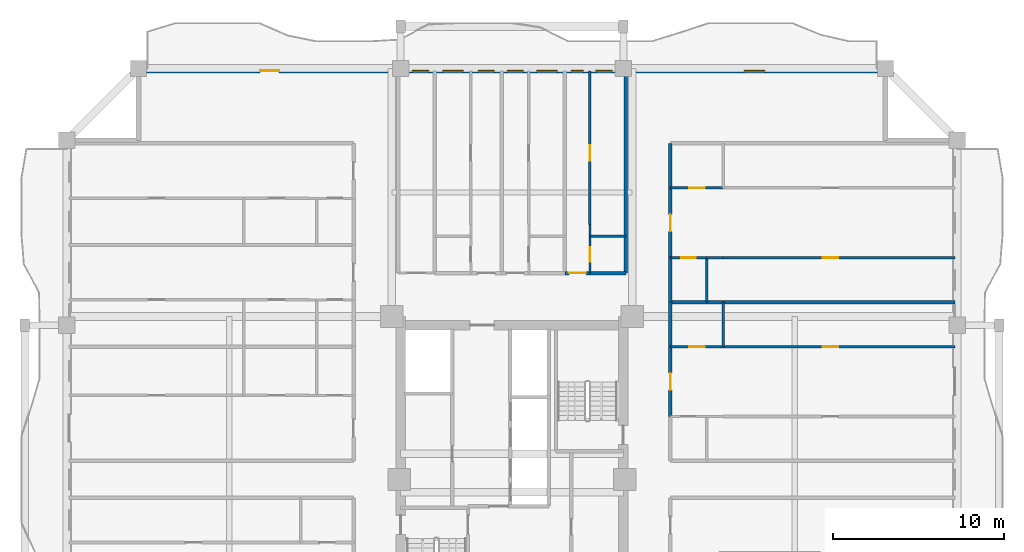
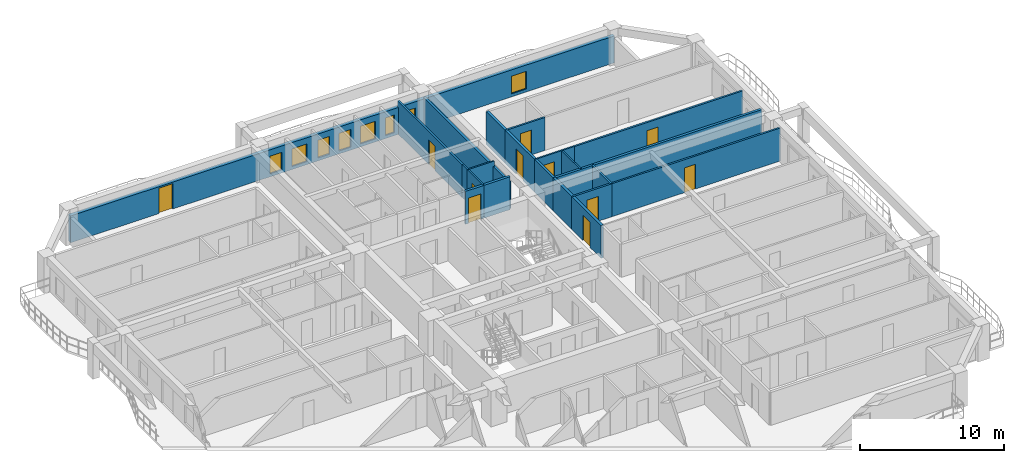
# One storey, part 8 of 14: 22 walls, 11 doors, 8 windows, 19 openings.
"""IFC4 building model written with IfcOpenShell, lengths in metres."""

from ifc_helpers import new_model, si_unit, direction, frame, frame_2d, origin, place, context, subcontext, project, spatial, rectangle, extrude, source, transform, mapped, material, layer, layer_set, type_object, element, fill, save


model = new_model("IFC4")

# Units and contexts
model_context = context("Model", 3, precision=1e-05, world=origin(), true_north=direction((0.0, 1.0)))
body_context = subcontext(model_context, "Body", "Model", "MODEL_VIEW")
ifc_project = project(units=[si_unit("LENGTHUNIT", "METRE"), si_unit("AREAUNIT", "SQUARE_METRE"), si_unit("VOLUMEUNIT", "CUBIC_METRE"), si_unit("PLANEANGLEUNIT", "RADIAN"), si_unit("MASSUNIT", "GRAM", prefix="KILO")], contexts=[model_context])

# Site, building, storey
site_placement = place(None, origin())
site = spatial("IfcSite", under=ifc_project, at=site_placement, CompositionType="ELEMENT")
building_placement = place(site_placement, origin())
building = spatial("IfcBuilding", under=site, at=building_placement, Name="Saelheon Loggia Tower", CompositionType="ELEMENT")
storey_placement = place(building_placement, frame((0.0, 0.0, 113.85009765625)))
storey = spatial("IfcBuildingStorey", under=building, at=storey_placement, Name="L36", CompositionType="ELEMENT", Elevation=113.85009765625)

# Wall, openings, windows, door
ifc_material_1 = material(Name="Architectural Precast Concrete C40/50", Category="concrete")
ifc_layer_1 = layer(ifc_material_1, 0.280029296875)
ifc_layer_set_1 = layer_set([ifc_layer_1], Name="Architectural Precast Concrete C40/50")
wall_type_1 = type_object("IfcWallType", Name="Wall_Ext_Loggia_280", PredefinedType="SOLIDWALL", material=ifc_layer_set_1)
wall_1_placement = place(storey_placement, frame((16.199951171875, 50.860107421875, 0.0), z_axis=(0.0, 0.0, 1.0), x_axis=(1.0, 0.0, 0.0)))
wall_1 = element("IfcWall", 1, at=wall_1_placement, inside=storey, type_object=wall_type_1, Name="L36 North Loggia Inner Wall", PredefinedType="SOLIDWALL", context=body_context, shape_type="SweptSolid", body=[
    extrude(rectangle(XDim=43.60009765625, YDim=0.280029296875, at=frame_2d((21.800048828125, 0.0))), origin(), (0.0, 0.0, 1.0), 2.27978515625),
])
opening_1_placement = place(wall_1_placement, frame((7.10009765625, 0.0, 0.0)))
opening_1 = element("IfcOpeningElement", 2, at=opening_1_placement, cuts=wall_1, Name="Opening TD1", PredefinedType="OPENING", context=body_context, shape_type="SweptSolid", body=[
    extrude(rectangle(XDim=1.10009765625, YDim=2.14990234375, at=frame_2d((0.550048828125, 1.074951171875))), frame((0.0, 0.152099609375, 0.0), z_axis=(0.0, -1.0, 0.0), x_axis=(1.0, 0.0, 0.0)), (0.0, 0.0, 1.0), 0.303955078125),
])
opening_2_placement = place(wall_1_placement, frame((15.982421875, 0.0, 0.25)))
opening_2 = element("IfcOpeningElement", 3, at=opening_2_placement, cuts=wall_1, Name="Opening WN-04", PredefinedType="OPENING", context=body_context, shape_type="SweptSolid", body=[
    extrude(rectangle(XDim=0.949951171875, YDim=1.5, at=frame_2d((0.47509765625, 0.75))), frame((0.0, 0.152099609375, 0.0), z_axis=(0.0, -1.0, 0.0), x_axis=(1.0, 0.0, 0.0)), (0.0, 0.0, 1.0), 0.303955078125),
])
opening_3_placement = place(wall_1_placement, frame((17.75, 0.0, 0.25)))
opening_3 = element("IfcOpeningElement", 4, at=opening_3_placement, cuts=wall_1, Name="Opening WN-03", PredefinedType="OPENING", context=body_context, shape_type="SweptSolid", body=[
    extrude(rectangle(XDim=1.199951171875, YDim=1.5, at=frame_2d((0.60009765625, 0.75))), frame((0.0, 0.152099609375, 0.0), z_axis=(0.0, -1.0, 0.0), x_axis=(1.0, 0.0, 0.0)), (0.0, 0.0, 1.0), 0.303955078125),
])
opening_4_placement = place(wall_1_placement, frame((19.826416015625, 0.0, 0.25)))
opening_4 = element("IfcOpeningElement", 5, at=opening_4_placement, cuts=wall_1, Name="Opening WN-04", PredefinedType="OPENING", context=body_context, shape_type="SweptSolid", body=[
    extrude(rectangle(XDim=0.949951171875, YDim=1.5, at=frame_2d((0.47509765625, 0.75))), frame((0.0, 0.152099609375, 0.0), z_axis=(0.0, -1.0, 0.0), x_axis=(1.0, 0.0, 0.0)), (0.0, 0.0, 1.0), 0.303955078125),
])
opening_5_placement = place(wall_1_placement, frame((21.517333984375, 0.0, 0.25)))
opening_5 = element("IfcOpeningElement", 6, at=opening_5_placement, cuts=wall_1, Name="Opening WN-04", PredefinedType="OPENING", context=body_context, shape_type="SweptSolid", body=[
    extrude(rectangle(XDim=0.949951171875, YDim=1.5, at=frame_2d((0.47509765625, 0.75))), frame((0.0, 0.152099609375, 0.0), z_axis=(0.0, -1.0, 0.0), x_axis=(1.0, 0.0, 0.0)), (0.0, 0.0, 1.0), 0.303955078125),
])
opening_6_placement = place(wall_1_placement, frame((23.23193359375, 0.0, 0.25)))
opening_6 = element("IfcOpeningElement", 7, at=opening_6_placement, cuts=wall_1, Name="Opening WN-03", PredefinedType="OPENING", context=body_context, shape_type="SweptSolid", body=[
    extrude(rectangle(XDim=1.199951171875, YDim=1.5, at=frame_2d((0.60009765625, 0.75))), frame((0.0, 0.152099609375, 0.0), z_axis=(0.0, -1.0, 0.0), x_axis=(1.0, 0.0, 0.0)), (0.0, 0.0, 1.0), 0.303955078125),
])
opening_7_placement = place(wall_1_placement, frame((25.26611328125, 0.0, 0.25)))
opening_7 = element("IfcOpeningElement", 8, at=opening_7_placement, cuts=wall_1, Name="Opening WN-06", PredefinedType="OPENING", context=body_context, shape_type="SweptSolid", body=[
    extrude(rectangle(XDim=0.699951171875, YDim=1.5, at=frame_2d((0.35009765625, 0.75))), frame((0.0, 0.152099609375, 0.0), z_axis=(0.0, -1.0, 0.0), x_axis=(1.0, 0.0, 0.0)), (0.0, 0.0, 1.0), 0.303955078125),
])
opening_8_placement = place(wall_1_placement, frame((26.6923828125, 0.0, 0.25)))
opening_8 = element("IfcOpeningElement", 9, at=opening_8_placement, cuts=wall_1, Name="Opening WN-04", PredefinedType="OPENING", context=body_context, shape_type="SweptSolid", body=[
    extrude(rectangle(XDim=0.949951171875, YDim=1.5, at=frame_2d((0.47509765625, 0.75))), frame((0.0, 0.152099609375, 0.0), z_axis=(0.0, -1.0, 0.0), x_axis=(1.0, 0.0, 0.0)), (0.0, 0.0, 1.0), 0.303955078125),
])
opening_9_placement = place(wall_1_placement, frame((35.35009765625, 0.0, 0.25)))
opening_9 = element("IfcOpeningElement", 10, at=opening_9_placement, cuts=wall_1, Name="Opening WN-03", PredefinedType="OPENING", context=body_context, shape_type="SweptSolid", body=[
    extrude(rectangle(XDim=1.199951171875, YDim=1.5, at=frame_2d((0.60009765625, 0.75))), frame((0.0, 0.152099609375, 0.0), z_axis=(0.0, -1.0, 0.0), x_axis=(1.0, 0.0, 0.0)), (0.0, 0.0, 1.0), 0.303955078125),
])
ifc_material_2 = material(Name="Thermal-Break Aluminium and Triple Low-E Glass", Category="aluminium")
window_type_1 = type_object("IfcWindowType", Name="Win_Slot_700x1500", PartitioningType="SINGLE_PANEL", PredefinedType="WINDOW", material=ifc_material_2)
shared_shape_1 = source(origin(), body_context, "Body", "SweptSolid", [
    extrude(rectangle(XDim=0.699951171875, YDim=1.5, at=frame_2d((0.35009765625, 0.75))), frame((0.0, 0.030029296875, 0.0), z_axis=(0.0, -1.0, 0.0), x_axis=(1.0, 0.0, 0.0)), (0.0, 0.0, 1.0), 0.06005859375),
])
window_1_placement = place(opening_7_placement, origin())
window_1 = element("IfcWindow", 11, at=window_1_placement, inside=storey, type_object=window_type_1, Name="L36 N Dwelling Window 7", OverallHeight=1.5, OverallWidth=0.699951171875, PartitioningType="SINGLE_PANEL", PredefinedType="WINDOW", context=body_context, shape_type="MappedRepresentation", body=[
    mapped(shared_shape_1, transform((0.0, 0.0, 0.0), scale=1.0)),
])
fill(opening_7, window_1)
window_type_2 = type_object("IfcWindowType", Name="Win_Bedroom_1200x1500", PartitioningType="SINGLE_PANEL", PredefinedType="WINDOW", material=ifc_material_2)
shared_shape_2 = source(origin(), body_context, "Body", "SweptSolid", [
    extrude(rectangle(XDim=1.199951171875, YDim=1.5, at=frame_2d((0.60009765625, 0.75))), frame((0.0, 0.030029296875, 0.0), z_axis=(0.0, -1.0, 0.0), x_axis=(1.0, 0.0, 0.0)), (0.0, 0.0, 1.0), 0.06005859375),
])
window_2_placement = place(opening_3_placement, origin())
window_2 = element("IfcWindow", 12, at=window_2_placement, inside=storey, type_object=window_type_2, Name="L36 N Dwelling Window 3", OverallHeight=1.5, OverallWidth=1.199951171875, PartitioningType="SINGLE_PANEL", PredefinedType="WINDOW", context=body_context, shape_type="MappedRepresentation", body=[
    mapped(shared_shape_2, transform((0.0, 0.0, 0.0), scale=1.0)),
])
fill(opening_3, window_2)
window_3_placement = place(opening_6_placement, origin())
window_3 = element("IfcWindow", 13, at=window_3_placement, inside=storey, type_object=window_type_2, Name="L36 N Dwelling Window 6", OverallHeight=1.5, OverallWidth=1.199951171875, PartitioningType="SINGLE_PANEL", PredefinedType="WINDOW", context=body_context, shape_type="MappedRepresentation", body=[
    mapped(shared_shape_2, transform((0.0, 0.0, 0.0), scale=1.0)),
])
fill(opening_6, window_3)
window_4_placement = place(opening_9_placement, origin())
window_4 = element("IfcWindow", 14, at=window_4_placement, inside=storey, type_object=window_type_2, Name="L36 N Dwelling Window 9", OverallHeight=1.5, OverallWidth=1.199951171875, PartitioningType="SINGLE_PANEL", PredefinedType="WINDOW", context=body_context, shape_type="MappedRepresentation", body=[
    mapped(shared_shape_2, transform((0.0, 0.0, 0.0), scale=1.0)),
])
fill(opening_9, window_4)
ifc_material_3 = material(Name="Thermal-Break Aluminium Glazed Door", Category="aluminium")
door_type_1 = type_object("IfcDoorType", Name="Door_Terrace_TD1", OperationType="NOTDEFINED", PredefinedType="DOOR", material=ifc_material_3)
shared_shape_3 = source(origin(), body_context, "Body", "SweptSolid", [
    extrude(rectangle(XDim=1.10009765625, YDim=2.14990234375, at=frame_2d((0.550048828125, 1.074951171875))), frame((0.0, 0.02490234375, 0.0), z_axis=(0.0, -1.0, 0.0), x_axis=(1.0, 0.0, 0.0)), (0.0, 0.0, 1.0), 0.050048828125),
])
door_1_placement = place(opening_1_placement, origin())
door_1 = element("IfcDoor", 15, at=door_1_placement, inside=storey, type_object=door_type_1, Name="L36 N Loggia Access Door", OperationType="SINGLE_SWING_LEFT", OverallHeight=2.14990234375, OverallWidth=1.10009765625, PredefinedType="DOOR", context=body_context, shape_type="MappedRepresentation", body=[
    mapped(shared_shape_3, transform((0.0, 0.0, 0.0), scale=1.0)),
])
fill(opening_1, door_1)
window_type_3 = type_object("IfcWindowType", Name="Win_Narrow_950x1500", PartitioningType="SINGLE_PANEL", PredefinedType="WINDOW", material=ifc_material_2)
shared_shape_4 = source(origin(), body_context, "Body", "SweptSolid", [
    extrude(rectangle(XDim=0.949951171875, YDim=1.5, at=frame_2d((0.47509765625, 0.75))), frame((0.0, 0.030029296875, 0.0), z_axis=(0.0, -1.0, 0.0), x_axis=(1.0, 0.0, 0.0)), (0.0, 0.0, 1.0), 0.06005859375),
])
window_5_placement = place(opening_2_placement, origin())
window_5 = element("IfcWindow", 16, at=window_5_placement, inside=storey, type_object=window_type_3, Name="L36 N Dwelling Window 2", OverallHeight=1.5, OverallWidth=0.949951171875, PartitioningType="SINGLE_PANEL", PredefinedType="WINDOW", context=body_context, shape_type="MappedRepresentation", body=[
    mapped(shared_shape_4, transform((0.0, 0.0, 0.0), scale=1.0)),
])
fill(opening_2, window_5)
window_6_placement = place(opening_4_placement, origin())
window_6 = element("IfcWindow", 17, at=window_6_placement, inside=storey, type_object=window_type_3, Name="L36 N Dwelling Window 4", OverallHeight=1.5, OverallWidth=0.949951171875, PartitioningType="SINGLE_PANEL", PredefinedType="WINDOW", context=body_context, shape_type="MappedRepresentation", body=[
    mapped(shared_shape_4, transform((0.0, 0.0, 0.0), scale=1.0)),
])
fill(opening_4, window_6)
window_7_placement = place(opening_5_placement, origin())
window_7 = element("IfcWindow", 18, at=window_7_placement, inside=storey, type_object=window_type_3, Name="L36 N Dwelling Window 5", OverallHeight=1.5, OverallWidth=0.949951171875, PartitioningType="SINGLE_PANEL", PredefinedType="WINDOW", context=body_context, shape_type="MappedRepresentation", body=[
    mapped(shared_shape_4, transform((0.0, 0.0, 0.0), scale=1.0)),
])
fill(opening_5, window_7)
window_8_placement = place(opening_8_placement, origin())
window_8 = element("IfcWindow", 19, at=window_8_placement, inside=storey, type_object=window_type_3, Name="L36 N Dwelling Window 8", OverallHeight=1.5, OverallWidth=0.949951171875, PartitioningType="SINGLE_PANEL", PredefinedType="WINDOW", context=body_context, shape_type="MappedRepresentation", body=[
    mapped(shared_shape_4, transform((0.0, 0.0, 0.0), scale=1.0)),
])
fill(opening_8, window_8)

# Wall, opening, door
ifc_material_4 = material(Name="Lightweight Autoclaved Aerated Concrete Block and Acoustic Gypsum", Category="concrete")
ifc_layer_2 = layer(ifc_material_4, 0.14990234375)
ifc_layer_set_2 = layer_set([ifc_layer_2], Name="Lightweight Autoclaved Aerated Concrete Block and Acoustic Gypsum")
wall_type_2 = type_object("IfcWallType", Name="Wall_Part_150", PredefinedType="PARTITIONING", material=ifc_layer_set_2)
wall_2_placement = place(storey_placement, frame((42.550048828125, 41.889892578125, 0.0), z_axis=(0.0, 0.0, 1.0), x_axis=(0.0, 1.0, 0.0)))
wall_2 = element("IfcWall", 20, at=wall_2_placement, inside=storey, type_object=wall_type_2, Name="L36 N Partition U24", PredefinedType="PARTITIONING", context=body_context, shape_type="SweptSolid", body=[
    extrude(rectangle(XDim=8.960205078125, YDim=0.14990234375, at=frame_2d((4.47998046875, 0.0))), origin(), (0.0, 0.0, 1.0), 2.789794921875),
])
opening_10_placement = place(wall_2_placement, frame((3.714111328125, 0.0, 0.0)))
opening_10 = element("IfcOpeningElement", 21, at=opening_10_placement, cuts=wall_2, Name="Opening D-IN2", PredefinedType="OPENING", context=body_context, shape_type="SweptSolid", body=[
    extrude(rectangle(XDim=0.89990234375, YDim=2.10009765625, at=frame_2d((0.449951171875, 1.050048828125))), frame((0.0, 0.0869140625, 0.0), z_axis=(0.0, -1.0, 0.0), x_axis=(1.0, 0.0, 0.0)), (0.0, 0.0, 1.0), 0.173828125),
])
ifc_material_5 = material(Name="Engineered Oak Flush Door", Category="timber")
door_type_2 = type_object("IfcDoorType", Name="Door_Int_900", OperationType="NOTDEFINED", PredefinedType="DOOR", material=ifc_material_5)
shared_shape_5 = source(origin(), body_context, "Body", "SweptSolid", [
    extrude(rectangle(XDim=0.89990234375, YDim=2.10009765625, at=frame_2d((0.449951171875, 1.050048828125))), frame((0.0, 0.02490234375, 0.0), z_axis=(0.0, -1.0, 0.0), x_axis=(1.0, 0.0, 0.0)), (0.0, 0.0, 1.0), 0.050048828125),
])
door_2_placement = place(opening_10_placement, origin())
door_2 = element("IfcDoor", 22, at=door_2_placement, inside=storey, type_object=door_type_2, Name="Unit U04 Kitchen Door", OperationType="SINGLE_SWING_RIGHT", OverallHeight=2.10009765625, OverallWidth=0.89990234375, PredefinedType="DOOR", context=body_context, shape_type="MappedRepresentation", body=[
    mapped(shared_shape_5, transform((0.0, 0.0, 0.0), scale=1.0)),
])
fill(opening_10, door_2)

# Wall
wall_3_placement = place(storey_placement, frame((50.330078125, 34.75, 0.0), z_axis=(0.0, 0.0, 1.0), x_axis=(0.0, 1.0, 0.0)))
element("IfcWall", 23, at=wall_3_placement, inside=storey, type_object=wall_type_2, Name="L36 EN Partition V07", PredefinedType="PARTITIONING", context=body_context, shape_type="SweptSolid", body=[
    extrude(rectangle(XDim=2.60009765625, YDim=0.14990234375, at=frame_2d((1.300048828125, 0.0))), origin(), (0.0, 0.0, 1.0), 2.789794921875),
])

# Wall, opening, door
wall_4_placement = place(storey_placement, frame((47.25, 34.75, 0.0), z_axis=(0.0, 0.0, 1.0), x_axis=(1.0, 0.0, 0.0)))
wall_4 = element("IfcWall", 24, at=wall_4_placement, inside=storey, type_object=wall_type_2, Name="L36 EN Partition U11", PredefinedType="PARTITIONING", context=body_context, shape_type="SweptSolid", body=[
    extrude(rectangle(XDim=3.080078125, YDim=0.14990234375, at=frame_2d((1.5400390625, 0.0))), origin(), (0.0, 0.0, 1.0), 2.789794921875),
])
opening_11_placement = place(wall_4_placement, frame((1.090087890625, 0.0, 0.0)))
opening_11 = element("IfcOpeningElement", 25, at=opening_11_placement, cuts=wall_4, Name="Opening D-IN2", PredefinedType="OPENING", context=body_context, shape_type="SweptSolid", body=[
    extrude(rectangle(XDim=0.89990234375, YDim=2.10009765625, at=frame_2d((0.449951171875, 1.050048828125))), frame((0.0, 0.0869140625, 0.0), z_axis=(0.0, -1.0, 0.0), x_axis=(1.0, 0.0, 0.0)), (0.0, 0.0, 1.0), 0.173828125),
])
door_3_placement = place(opening_11_placement, origin())
door_3 = element("IfcDoor", 26, at=door_3_placement, inside=storey, type_object=door_type_2, Name="Unit U13 Dressing Closet Door", OperationType="SINGLE_SWING_LEFT", OverallHeight=2.10009765625, OverallWidth=0.89990234375, PredefinedType="DOOR", context=body_context, shape_type="MappedRepresentation", body=[
    mapped(shared_shape_5, transform((0.0, 0.0, 0.0), scale=1.0)),
])
fill(opening_11, door_3)

wall_5_placement = place(storey_placement, frame((50.330078125, 34.75, 0.0), z_axis=(0.0, 0.0, 1.0), x_axis=(1.0, 0.0, 0.0)))
wall_5 = element("IfcWall", 27, at=wall_5_placement, inside=storey, type_object=wall_type_2, Name="L36 EN Partition U12", PredefinedType="PARTITIONING", context=body_context, shape_type="SweptSolid", body=[
    extrude(rectangle(XDim=13.52001953125, YDim=0.14990234375, at=frame_2d((6.760009765625, 0.0))), origin(), (0.0, 0.0, 1.0), 2.789794921875),
])
opening_12_placement = place(wall_5_placement, frame((5.80419921875, 0.0, 0.0)))
opening_12 = element("IfcOpeningElement", 28, at=opening_12_placement, cuts=wall_5, Name="Opening D-IN2", PredefinedType="OPENING", context=body_context, shape_type="SweptSolid", body=[
    extrude(rectangle(XDim=0.89990234375, YDim=2.10009765625, at=frame_2d((0.449951171875, 1.050048828125))), frame((0.0, 0.0869140625, 0.0), z_axis=(0.0, -1.0, 0.0), x_axis=(1.0, 0.0, 0.0)), (0.0, 0.0, 1.0), 0.173828125),
])
door_4_placement = place(opening_12_placement, origin())
door_4 = element("IfcDoor", 29, at=door_4_placement, inside=storey, type_object=door_type_2, Name="Unit U13 Bedroom 1 Door", OperationType="SINGLE_SWING_RIGHT", OverallHeight=2.10009765625, OverallWidth=0.89990234375, PredefinedType="DOOR", context=body_context, shape_type="MappedRepresentation", body=[
    mapped(shared_shape_5, transform((0.0, 0.0, 0.0), scale=1.0)),
])
fill(opening_12, door_4)

wall_6_placement = place(storey_placement, frame((50.330078125, 39.945556640625, 0.0), z_axis=(0.0, 0.0, 1.0), x_axis=(1.0, 0.0, 0.0)))
wall_6 = element("IfcWall", 30, at=wall_6_placement, inside=storey, type_object=wall_type_2, Name="L36 EN Partition U21", PredefinedType="PARTITIONING", context=body_context, shape_type="SweptSolid", body=[
    extrude(rectangle(XDim=13.52001953125, YDim=0.14990234375, at=frame_2d((6.760009765625, 0.0))), origin(), (0.0, 0.0, 1.0), 2.789794921875),
])
opening_13_placement = place(wall_6_placement, frame((5.80419921875, 0.0, 0.0)))
opening_13 = element("IfcOpeningElement", 31, at=opening_13_placement, cuts=wall_6, Name="Opening D-IN2", PredefinedType="OPENING", context=body_context, shape_type="SweptSolid", body=[
    extrude(rectangle(XDim=0.89990234375, YDim=2.10009765625, at=frame_2d((0.449951171875, 1.050048828125))), frame((0.0, 0.0869140625, 0.0), z_axis=(0.0, -1.0, 0.0), x_axis=(1.0, 0.0, 0.0)), (0.0, 0.0, 1.0), 0.173828125),
])
door_5_placement = place(opening_13_placement, origin())
door_5 = element("IfcDoor", 32, at=door_5_placement, inside=storey, type_object=door_type_2, Name="Unit U14 Kitchen Door", OperationType="SINGLE_SWING_LEFT", OverallHeight=2.10009765625, OverallWidth=0.89990234375, PredefinedType="DOOR", context=body_context, shape_type="MappedRepresentation", body=[
    mapped(shared_shape_5, transform((0.0, 0.0, 0.0), scale=1.0)),
])
fill(opening_13, door_5)

wall_7_placement = place(storey_placement, frame((47.25, 44.02001953125, 0.0), z_axis=(0.0, 0.0, 1.0), x_axis=(1.0, 0.0, 0.0)))
wall_7 = element("IfcWall", 33, at=wall_7_placement, inside=storey, type_object=wall_type_2, Name="L36 EN Partition U22", PredefinedType="PARTITIONING", context=body_context, shape_type="SweptSolid", body=[
    extrude(rectangle(XDim=3.080078125, YDim=0.14990234375, at=frame_2d((1.5400390625, 0.0))), origin(), (0.0, 0.0, 1.0), 2.789794921875),
])
opening_14_placement = place(wall_7_placement, frame((1.090087890625, 0.0, 0.0)))
opening_14 = element("IfcOpeningElement", 34, at=opening_14_placement, cuts=wall_7, Name="Opening D-IN2", PredefinedType="OPENING", context=body_context, shape_type="SweptSolid", body=[
    extrude(rectangle(XDim=0.89990234375, YDim=2.10009765625, at=frame_2d((0.449951171875, 1.050048828125))), frame((0.0, 0.0869140625, 0.0), z_axis=(0.0, -1.0, 0.0), x_axis=(1.0, 0.0, 0.0)), (0.0, 0.0, 1.0), 0.173828125),
])
door_6_placement = place(opening_14_placement, origin())
door_6 = element("IfcDoor", 35, at=door_6_placement, inside=storey, type_object=door_type_2, Name="Unit U14 Dressing Closet Door", OperationType="SINGLE_SWING_RIGHT", OverallHeight=2.10009765625, OverallWidth=0.89990234375, PredefinedType="DOOR", context=body_context, shape_type="MappedRepresentation", body=[
    mapped(shared_shape_5, transform((0.0, 0.0, 0.0), scale=1.0)),
])
fill(opening_14, door_6)

# Wall
ifc_material_6 = material(Name="Double Acoustic Stud and Fireboard Partition", Category="gypsum")
ifc_layer_3 = layer(ifc_material_6, 0.199951171875)
ifc_layer_set_3 = layer_set([ifc_layer_3], Name="Double Acoustic Stud and Fireboard Partition")
wall_type_3 = type_object("IfcWallType", Name="Wall_Party_200", PredefinedType="PARTITIONING", material=ifc_layer_set_3)
wall_8_placement = place(storey_placement, frame((44.64990234375, 39.050048828125, 0.0), z_axis=(0.0, 0.0, 1.0), x_axis=(0.0, 1.0, 0.0)))
element("IfcWall", 36, at=wall_8_placement, inside=storey, type_object=wall_type_3, Name="L36 N Partition U02", PredefinedType="PARTITIONING", context=body_context, shape_type="SweptSolid", body=[
    extrude(rectangle(XDim=11.800048828125, YDim=0.199951171875, at=frame_2d((5.89990234375, 0.0))), origin(), (0.0, 0.0, 1.0), 2.33984375),
])

# Wall, opening, door
wall_9_placement = place(storey_placement, frame((41.08203125, 39.050048828125, 0.0), z_axis=(0.0, 0.0, 1.0), x_axis=(1.0, 0.0, 0.0)))
wall_9 = element("IfcWall", 37, at=wall_9_placement, inside=storey, type_object=wall_type_3, Name="L36 N Partition V19", PredefinedType="PARTITIONING", context=body_context, shape_type="SweptSolid", body=[
    extrude(rectangle(XDim=1.468017578125, YDim=0.199951171875, at=frame_2d((0.73388671875, 0.0))), origin(), (0.0, 0.0, 1.0), 2.789794921875),
])
opening_15_placement = place(wall_9_placement, frame((0.23388671875, 0.0, 0.0)))
opening_15 = element("IfcOpeningElement", 38, at=opening_15_placement, cuts=wall_9, Name="Opening D-FD1", PredefinedType="OPENING", context=body_context, shape_type="SweptSolid", body=[
    extrude(rectangle(XDim=1.0, YDim=2.14990234375, at=frame_2d((0.5, 1.074951171875))), frame((0.0, 0.112060546875, 0.0), z_axis=(0.0, -1.0, 0.0), x_axis=(1.0, 0.0, 0.0)), (0.0, 0.0, 1.0), 0.223876953125),
])
ifc_material_7 = material(Name="Fire-Rated Engineered Timber Entrance Door", Category="wood")
door_type_3 = type_object("IfcDoorType", Name="Door_Flat_FD30S", OperationType="NOTDEFINED", PredefinedType="DOOR", material=ifc_material_7)
shared_shape_6 = source(origin(), body_context, "Body", "SweptSolid", [
    extrude(rectangle(XDim=1.0, YDim=2.14990234375, at=frame_2d((0.5, 1.074951171875))), frame((0.0, 0.02490234375, 0.0), z_axis=(0.0, -1.0, 0.0), x_axis=(1.0, 0.0, 0.0)), (0.0, 0.0, 1.0), 0.050048828125),
])
door_7_placement = place(opening_15_placement, origin())
door_7 = element("IfcDoor", 39, at=door_7_placement, inside=storey, type_object=door_type_3, Name="Unit U04 Entrance Door", OperationType="SINGLE_SWING_RIGHT", OverallHeight=2.14990234375, OverallWidth=1.0, PredefinedType="DOOR", context=body_context, shape_type="MappedRepresentation", body=[
    mapped(shared_shape_6, transform((0.0, 0.0, 0.0), scale=1.0)),
])
fill(opening_15, door_7)

# Wall
wall_10_placement = place(storey_placement, frame((42.550048828125, 39.050048828125, 0.0), z_axis=(0.0, 0.0, 1.0), x_axis=(1.0, 0.0, 0.0)))
element("IfcWall", 40, at=wall_10_placement, inside=storey, type_object=wall_type_3, Name="L36 N Partition V20", PredefinedType="PARTITIONING", context=body_context, shape_type="SweptSolid", body=[
    extrude(rectangle(XDim=2.099853515625, YDim=0.199951171875, at=frame_2d((1.0498046875, 0.0))), origin(), (0.0, 0.0, 1.0), 2.789794921875),
])

# Wall, opening, door
wall_11_placement = place(storey_placement, frame((47.25, 30.675537109375, 0.0), z_axis=(0.0, 0.0, 1.0), x_axis=(0.0, 1.0, 0.0)))
wall_11 = element("IfcWall", 41, at=wall_11_placement, inside=storey, type_object=wall_type_3, Name="L36 EN Partition V04", PredefinedType="PARTITIONING", context=body_context, shape_type="SweptSolid", body=[
    extrude(rectangle(XDim=4.074462890625, YDim=0.199951171875, at=frame_2d((2.037109375, 0.0))), origin(), (0.0, 0.0, 1.0), 2.789794921875),
])
opening_16_placement = place(wall_11_placement, frame((1.537109375, 0.0, 0.0)))
opening_16 = element("IfcOpeningElement", 42, at=opening_16_placement, cuts=wall_11, Name="Opening D-FD1", PredefinedType="OPENING", context=body_context, shape_type="SweptSolid", body=[
    extrude(rectangle(XDim=1.0, YDim=2.14990234375, at=frame_2d((0.5, 1.074951171875))), frame((0.0, 0.112060546875, 0.0), z_axis=(0.0, -1.0, 0.0), x_axis=(1.0, 0.0, 0.0)), (0.0, 0.0, 1.0), 0.223876953125),
])
door_8_placement = place(opening_16_placement, origin())
door_8 = element("IfcDoor", 43, at=door_8_placement, inside=storey, type_object=door_type_3, Name="Unit U13 Entrance Door", OperationType="SINGLE_SWING_RIGHT", OverallHeight=2.14990234375, OverallWidth=1.0, PredefinedType="DOOR", context=body_context, shape_type="MappedRepresentation", body=[
    mapped(shared_shape_6, transform((0.0, 0.0, 0.0), scale=1.0)),
])
fill(opening_16, door_8)

# Walls
wall_12_placement = place(storey_placement, frame((47.25, 34.75, 0.0), z_axis=(0.0, 0.0, 1.0), x_axis=(0.0, 1.0, 0.0)))
element("IfcWall", 44, at=wall_12_placement, inside=storey, type_object=wall_type_3, Name="L36 EN Partition V05", PredefinedType="PARTITIONING", context=body_context, shape_type="SweptSolid", body=[
    extrude(rectangle(XDim=2.60009765625, YDim=0.199951171875, at=frame_2d((1.300048828125, 0.0))), origin(), (0.0, 0.0, 1.0), 2.789794921875),
])
wall_13_placement = place(storey_placement, frame((47.25, 37.35009765625, 0.0), z_axis=(0.0, 0.0, 1.0), x_axis=(1.0, 0.0, 0.0)))
element("IfcWall", 45, at=wall_13_placement, inside=storey, type_object=wall_type_3, Name="L36 EN Partition U13", PredefinedType="PARTITIONING", context=body_context, shape_type="SweptSolid", body=[
    extrude(rectangle(XDim=16.60009765625, YDim=0.199951171875, at=frame_2d((8.300048828125, 0.0))), origin(), (0.0, 0.0, 1.0), 2.789794921875),
])
wall_14_placement = place(storey_placement, frame((47.25, 37.35009765625, 0.0), z_axis=(0.0, 0.0, 1.0), x_axis=(0.0, 1.0, 0.0)))
element("IfcWall", 46, at=wall_14_placement, inside=storey, type_object=wall_type_3, Name="L36 EN Partition V14", PredefinedType="PARTITIONING", context=body_context, shape_type="SweptSolid", body=[
    extrude(rectangle(XDim=2.595458984375, YDim=0.199951171875, at=frame_2d((1.2978515625, 0.0))), origin(), (0.0, 0.0, 1.0), 2.789794921875),
])

# Wall, opening, door
wall_15_placement = place(storey_placement, frame((47.25, 39.945556640625, 0.0), z_axis=(0.0, 0.0, 1.0), x_axis=(0.0, 1.0, 0.0)))
wall_15 = element("IfcWall", 47, at=wall_15_placement, inside=storey, type_object=wall_type_3, Name="L36 EN Partition V15", PredefinedType="PARTITIONING", context=body_context, shape_type="SweptSolid", body=[
    extrude(rectangle(XDim=4.074462890625, YDim=0.199951171875, at=frame_2d((2.037109375, 0.0))), origin(), (0.0, 0.0, 1.0), 2.789794921875),
])
opening_17_placement = place(wall_15_placement, frame((1.537109375, 0.0, 0.0)))
opening_17 = element("IfcOpeningElement", 48, at=opening_17_placement, cuts=wall_15, Name="Opening D-FD1", PredefinedType="OPENING", context=body_context, shape_type="SweptSolid", body=[
    extrude(rectangle(XDim=1.0, YDim=2.14990234375, at=frame_2d((0.5, 1.074951171875))), frame((0.0, 0.112060546875, 0.0), z_axis=(0.0, -1.0, 0.0), x_axis=(1.0, 0.0, 0.0)), (0.0, 0.0, 1.0), 0.223876953125),
])
door_9_placement = place(opening_17_placement, origin())
door_9 = element("IfcDoor", 49, at=door_9_placement, inside=storey, type_object=door_type_3, Name="Unit U14 Entrance Door", OperationType="SINGLE_SWING_LEFT", OverallHeight=2.14990234375, OverallWidth=1.0, PredefinedType="DOOR", context=body_context, shape_type="MappedRepresentation", body=[
    mapped(shared_shape_6, transform((0.0, 0.0, 0.0), scale=1.0)),
])
fill(opening_17, door_9)

# Wall
wall_16_placement = place(storey_placement, frame((47.25, 44.02001953125, 0.0), z_axis=(0.0, 0.0, 1.0), x_axis=(0.0, 1.0, 0.0)))
element("IfcWall", 50, at=wall_16_placement, inside=storey, type_object=wall_type_3, Name="L36 EN Partition V16", PredefinedType="PARTITIONING", context=body_context, shape_type="SweptSolid", body=[
    extrude(rectangle(XDim=2.60009765625, YDim=0.199951171875, at=frame_2d((1.300048828125, 0.0))), origin(), (0.0, 0.0, 1.0), 2.789794921875),
])

# Wall, opening, door
ifc_material_8 = material(Name="Moisture-Resistant Cement Board Partition", Category="gypsum")
ifc_layer_4 = layer(ifc_material_8, 0.1201171875)
ifc_layer_set_4 = layer_set([ifc_layer_4], Name="Moisture-Resistant Cement Board Partition")
wall_type_4 = type_object("IfcWallType", Name="Wall_WetPart_120", PredefinedType="PARTITIONING", material=ifc_layer_set_4)
wall_17_placement = place(storey_placement, frame((42.550048828125, 39.050048828125, 0.0), z_axis=(0.0, 0.0, 1.0), x_axis=(0.0, 1.0, 0.0)))
wall_17 = element("IfcWall", 51, at=wall_17_placement, inside=storey, type_object=wall_type_4, Name="L36 N Partition U21", PredefinedType="PARTITIONING", context=body_context, shape_type="SweptSolid", body=[
    extrude(rectangle(XDim=2.14990234375, YDim=0.1201171875, at=frame_2d((1.074951171875, 0.0))), origin(), (0.0, 0.0, 1.0), 2.789794921875),
])
opening_18_placement = place(wall_17_placement, frame((0.64990234375, 0.0, 0.0)))
opening_18 = element("IfcOpeningElement", 52, at=opening_18_placement, cuts=wall_17, Name="Opening D-BT1", PredefinedType="OPENING", context=body_context, shape_type="SweptSolid", body=[
    extrude(rectangle(XDim=0.85009765625, YDim=2.050048828125, at=frame_2d((0.425048828125, 1.02490234375))), frame((0.0, 0.072021484375, 0.0), z_axis=(0.0, -1.0, 0.0), x_axis=(1.0, 0.0, 0.0)), (0.0, 0.0, 1.0), 0.14404296875),
])
ifc_material_9 = material(Name="Moisture-Resistant Laminate Timber Door", Category="wood")
door_type_4 = type_object("IfcDoorType", Name="Door_Bath_850", OperationType="NOTDEFINED", PredefinedType="DOOR", material=ifc_material_9)
shared_shape_7 = source(origin(), body_context, "Body", "SweptSolid", [
    extrude(rectangle(XDim=0.85009765625, YDim=2.050048828125, at=frame_2d((0.425048828125, 1.02490234375))), frame((0.0, 0.02490234375, 0.0), z_axis=(0.0, -1.0, 0.0), x_axis=(1.0, 0.0, 0.0)), (0.0, 0.0, 1.0), 0.050048828125),
])
door_10_placement = place(opening_18_placement, origin())
door_10 = element("IfcDoor", 53, at=door_10_placement, inside=storey, type_object=door_type_4, Name="Unit U04 Bathroom Door", OperationType="SINGLE_SWING_LEFT", OverallHeight=2.050048828125, OverallWidth=0.85009765625, PredefinedType="DOOR", context=body_context, shape_type="MappedRepresentation", body=[
    mapped(shared_shape_7, transform((0.0, 0.0, 0.0), scale=1.0)),
])
fill(opening_18, door_10)

# Walls
wall_18_placement = place(storey_placement, frame((42.550048828125, 41.199951171875, 0.0), z_axis=(0.0, 0.0, 1.0), x_axis=(0.0, 1.0, 0.0)))
element("IfcWall", 54, at=wall_18_placement, inside=storey, type_object=wall_type_4, Name="L36 N Partition U22", PredefinedType="PARTITIONING", context=body_context, shape_type="SweptSolid", body=[
    extrude(rectangle(XDim=0.68994140625, YDim=0.1201171875, at=frame_2d((0.344970703125, 0.0))), origin(), (0.0, 0.0, 1.0), 2.789794921875),
])
wall_19_placement = place(storey_placement, frame((42.550048828125, 41.199951171875, 0.0), z_axis=(0.0, 0.0, 1.0), x_axis=(1.0, 0.0, 0.0)))
element("IfcWall", 55, at=wall_19_placement, inside=storey, type_object=wall_type_4, Name="L36 N Partition V23", PredefinedType="PARTITIONING", context=body_context, shape_type="SweptSolid", body=[
    extrude(rectangle(XDim=2.099853515625, YDim=0.1201171875, at=frame_2d((1.0498046875, 0.0))), origin(), (0.0, 0.0, 1.0), 2.789794921875),
])
wall_20_placement = place(storey_placement, frame((49.3701171875, 37.35009765625, 0.0), z_axis=(0.0, 0.0, 1.0), x_axis=(0.0, 1.0, 0.0)))
element("IfcWall", 56, at=wall_20_placement, inside=storey, type_object=wall_type_4, Name="L36 EN Partition V17", PredefinedType="PARTITIONING", context=body_context, shape_type="SweptSolid", body=[
    extrude(rectangle(XDim=2.595458984375, YDim=0.1201171875, at=frame_2d((1.2978515625, 0.0))), origin(), (0.0, 0.0, 1.0), 2.789794921875),
])

# Wall, opening, door
wall_21_placement = place(storey_placement, frame((47.25, 39.945556640625, 0.0), z_axis=(0.0, 0.0, 1.0), x_axis=(1.0, 0.0, 0.0)))
wall_21 = element("IfcWall", 57, at=wall_21_placement, inside=storey, type_object=wall_type_4, Name="L36 EN Partition U19", PredefinedType="PARTITIONING", context=body_context, shape_type="SweptSolid", body=[
    extrude(rectangle(XDim=2.1201171875, YDim=0.1201171875, at=frame_2d((1.06005859375, 0.0))), origin(), (0.0, 0.0, 1.0), 2.789794921875),
])
opening_19_placement = place(wall_21_placement, frame((0.635009765625, 0.0, 0.0)))
opening_19 = element("IfcOpeningElement", 58, at=opening_19_placement, cuts=wall_21, Name="Opening D-BT1", PredefinedType="OPENING", context=body_context, shape_type="SweptSolid", body=[
    extrude(rectangle(XDim=0.85009765625, YDim=2.050048828125, at=frame_2d((0.425048828125, 1.02490234375))), frame((0.0, 0.072021484375, 0.0), z_axis=(0.0, -1.0, 0.0), x_axis=(1.0, 0.0, 0.0)), (0.0, 0.0, 1.0), 0.14404296875),
])
door_11_placement = place(opening_19_placement, origin())
door_11 = element("IfcDoor", 59, at=door_11_placement, inside=storey, type_object=door_type_4, Name="Unit U14 Bathroom Door", OperationType="SINGLE_SWING_RIGHT", OverallHeight=2.050048828125, OverallWidth=0.85009765625, PredefinedType="DOOR", context=body_context, shape_type="MappedRepresentation", body=[
    mapped(shared_shape_7, transform((0.0, 0.0, 0.0), scale=1.0)),
])
fill(opening_19, door_11)

# Wall
wall_22_placement = place(storey_placement, frame((49.3701171875, 39.945556640625, 0.0), z_axis=(0.0, 0.0, 1.0), x_axis=(1.0, 0.0, 0.0)))
element("IfcWall", 60, at=wall_22_placement, inside=storey, type_object=wall_type_4, Name="L36 EN Partition U20", PredefinedType="PARTITIONING", context=body_context, shape_type="SweptSolid", body=[
    extrude(rectangle(XDim=0.9599609375, YDim=0.1201171875, at=frame_2d((0.47998046875, 0.0))), origin(), (0.0, 0.0, 1.0), 2.789794921875),
])

save(model, "model.ifc")
